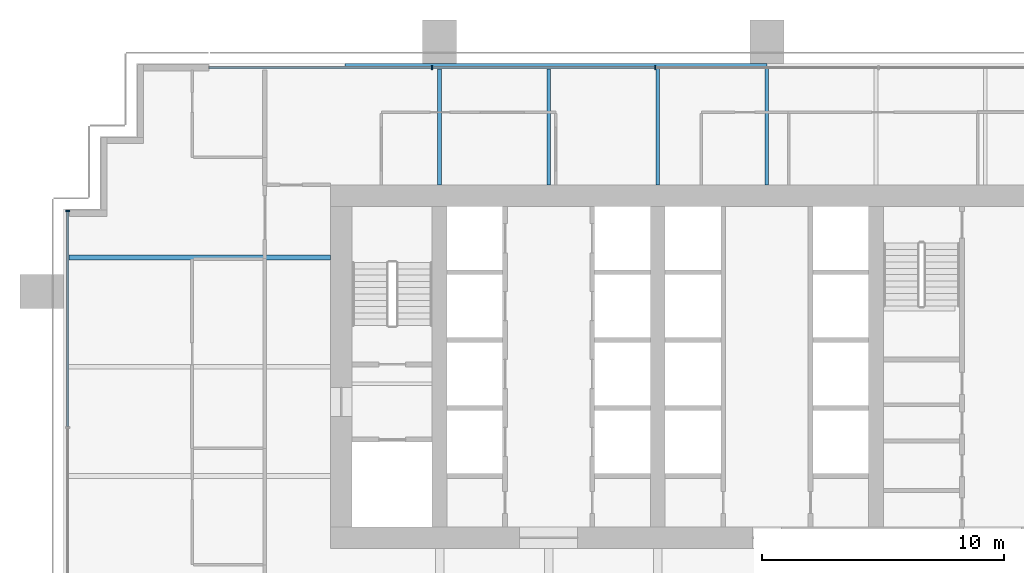
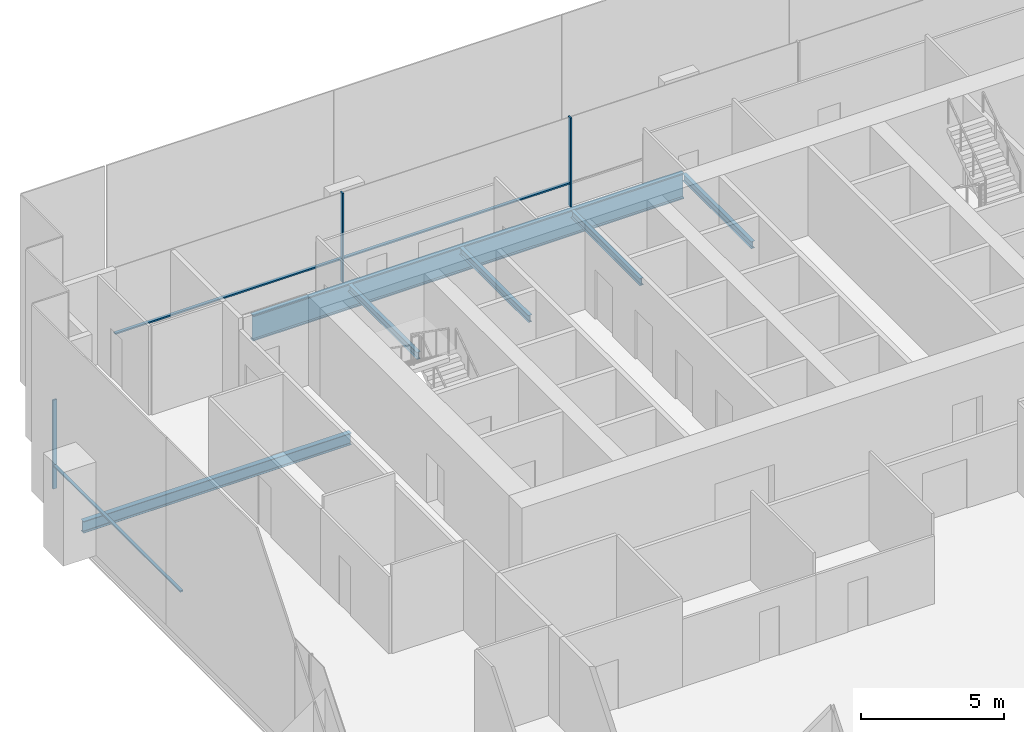
# One storey, part 7 of 17: 6 beams, 6 members, 2 elements without a shape of their own.
"""IFC4 building model written with IfcOpenShell, lengths in metres."""

from ifc_helpers import new_model, si_unit, direction, frame, origin, origin_2d, place, context, subcontext, project, spatial, rectangle, i_section, extrude, material, material_profile, profile_set, type_object, element, aggregate, save


model = new_model("IFC4")

# Units and contexts
model_context = context("Model", 3, precision=1e-05, world=origin(), true_north=direction((0.0, 1.0)))
body_context = subcontext(model_context, "Body", "Model", "MODEL_VIEW")
ifc_project = project(units=[si_unit("LENGTHUNIT", "METRE"), si_unit("AREAUNIT", "SQUARE_METRE"), si_unit("VOLUMEUNIT", "CUBIC_METRE"), si_unit("PLANEANGLEUNIT", "RADIAN"), si_unit("MASSUNIT", "GRAM", prefix="KILO")], contexts=[model_context])

# Site, building, storey
site_placement = place(None, origin())
site = spatial("IfcSite", under=ifc_project, at=site_placement, CompositionType="ELEMENT")
building_placement = place(site_placement, origin())
building = spatial("IfcBuilding", under=site, at=building_placement, Name="Rattan Terrace Tower", CompositionType="ELEMENT")
storey_placement = place(building_placement, frame((0.0, 0.0, 126.10009765625)))
storey = spatial("IfcBuildingStorey", under=building, at=storey_placement, Name="L28", CompositionType="ELEMENT", Elevation=126.10009765625)

# Curtain wall, members
ifc_material_1 = material(Name="Aluminium and glass", Category="aluminium")
curtain_wall_type = type_object("IfcCurtainWallType", Name="Facade Unitised Curtain Wall", PredefinedType="NOTDEFINED", material=ifc_material_1)
curtain_wall_1_placement = place(storey_placement, origin())
curtain_wall_1 = element("IfcCurtainWall", 1, at=curtain_wall_1_placement, inside=storey, type_object=curtain_wall_type, Name="Curtain wall L28-2", PredefinedType="NOTDEFINED")
ifc_material_2 = material(Name="Aluminium", Category="aluminium")
ifc_material_profile_1 = material_profile(ifc_material_2, rectangle(XDim=0.06005859375, YDim=0.159912109375, at=origin_2d()), Name="Aluminium 60x160")
ifc_profile_set_1 = profile_set([ifc_material_profile_1], Name="Aluminium")
member_type_1 = type_object("IfcMemberType", Name="Facade CW Mullion 60x160", PredefinedType="MULLION", material=ifc_profile_set_1)
member_1_placement = place(storey_placement, frame((-4.60302734375, 12.330078125, 0.0), z_axis=(0.0, 0.0, 1.0), x_axis=(-1.0, 0.0, 0.0)))
member_1 = element("IfcMember", 2, at=member_1_placement, type_object=member_type_1, Name="Mullion cwl-L28-002.4", PredefinedType="MULLION", context=body_context, shape_type="SweptSolid", body=[
    extrude(rectangle(XDim=0.06005859375, YDim=0.159912109375, at=origin_2d()), origin(), (0.0, 0.0, 1.0), 3.7998046875),
])
member_2_placement = place(storey_placement, frame((-13.803955078125, 12.330078125, 0.0), z_axis=(0.0, 0.0, 1.0), x_axis=(-1.0, 0.0, 0.0)))
member_2 = element("IfcMember", 3, at=member_2_placement, type_object=member_type_1, Name="Mullion cwl-L28-002.5", PredefinedType="MULLION", context=body_context, shape_type="SweptSolid", body=[
    extrude(rectangle(XDim=0.06005859375, YDim=0.159912109375, at=origin_2d()), origin(), (0.0, 0.0, 1.0), 3.7998046875),
])

# Curtain wall, member
curtain_wall_2_placement = place(storey_placement, origin())
curtain_wall_2 = element("IfcCurtainWall", 4, at=curtain_wall_2_placement, inside=storey, type_object=curtain_wall_type, Name="Curtain wall L28-3", PredefinedType="NOTDEFINED")
member_3_placement = place(storey_placement, frame((-28.830078125, 6.425048828125, 0.0), z_axis=(0.0, 0.0, 1.0), x_axis=(0.0, -1.0, 0.0)))
member_3 = element("IfcMember", 5, at=member_3_placement, type_object=member_type_1, Name="Mullion cwl-L28-003.1", PredefinedType="MULLION", context=body_context, shape_type="SweptSolid", body=[
    extrude(rectangle(XDim=0.06005859375, YDim=0.159912109375, at=origin_2d()), origin(), (0.0, 0.0, 1.0), 3.7998046875),
])

# Member
ifc_material_3 = material(Name="Aluminium", Category="aluminium")
ifc_material_profile_2 = material_profile(ifc_material_3, rectangle(XDim=0.1201171875, YDim=0.06005859375, at=origin_2d()), Name="Aluminium 120x60")
ifc_profile_set_2 = profile_set([ifc_material_profile_2], Name="Aluminium")
member_type_2 = type_object("IfcMemberType", Name="Facade CW Transom 120x60", PredefinedType="USERDEFINED", material=ifc_profile_set_2)
member_4_placement = place(storey_placement, frame((-4.633056640625, 12.330078125, 1.0), z_axis=(-1.0, 0.0, 0.0), x_axis=(0.0, -1.0, 0.0)))
member_4 = element("IfcMember", 6, at=member_4_placement, type_object=member_type_2, Name="Transom cwl-L28-002.4", ObjectType="TRANSOM", PredefinedType="USERDEFINED", context=body_context, shape_type="SweptSolid", body=[
    extrude(rectangle(XDim=0.1201171875, YDim=0.06005859375, at=origin_2d()), origin(), (0.0, 0.0, 1.0), 9.140869140625),
])

member_5_placement = place(storey_placement, frame((-13.833984375, 12.330078125, 1.0), z_axis=(-1.0, 0.0, 0.0), x_axis=(0.0, -1.0, 0.0)))
member_5 = element("IfcMember", 7, at=member_5_placement, type_object=member_type_2, Name="Transom cwl-L28-002.5", ObjectType="TRANSOM", PredefinedType="USERDEFINED", context=body_context, shape_type="SweptSolid", body=[
    extrude(rectangle(XDim=0.1201171875, YDim=0.06005859375, at=origin_2d()), origin(), (0.0, 0.0, 1.0), 9.166015625),
])

aggregate(curtain_wall_1, [member_1, member_2, member_4, member_5])

member_6_placement = place(storey_placement, frame((-28.830078125, 6.39501953125, 1.0), z_axis=(0.0, -1.0, 0.0), x_axis=(1.0, 0.0, 0.0)))
member_6 = element("IfcMember", 8, at=member_6_placement, type_object=member_type_2, Name="Transom cwl-L28-003.1", ObjectType="TRANSOM", PredefinedType="USERDEFINED", context=body_context, shape_type="SweptSolid", body=[
    extrude(rectangle(XDim=0.1201171875, YDim=0.06005859375, at=origin_2d()), origin(), (0.0, 0.0, 1.0), 8.864990234375),
])

aggregate(curtain_wall_2, [member_3, member_6])

# Beams
ifc_material_4 = material(Name="Steel S460", Category="steel")
ifc_material_profile_3 = material_profile(ifc_material_4, i_section(OverallWidth=0.179931640625, OverallDepth=1.10009765625, WebThickness=0.01611328125, FlangeThickness=0.050048828125, at=origin_2d()), Name="PG 1100x180-16-50")
ifc_profile_set_3 = profile_set([ifc_material_profile_3], Name="Steel S460")
beam_type_1 = type_object("IfcBeamType", Name="Frame edge girder PG 1100x180-16-50", PredefinedType="SPANDREL", material=ifc_profile_set_3)
beam_1_placement = place(storey_placement, frame((-17.39990234375, 12.409912109375, -0.75), z_axis=(1.0, 0.0, 0.0), x_axis=(0.0, 1.0, 0.0)))
element("IfcBeam", 9, at=beam_1_placement, inside=storey, type_object=beam_type_1, Name="gdr-L28-005", PredefinedType="SPANDREL", context=body_context, shape_type="SweptSolid", body=[
    extrude(i_section(OverallWidth=0.179931640625, OverallDepth=1.10009765625, WebThickness=0.01611328125, FlangeThickness=0.050048828125, at=origin_2d()), origin(), (0.0, 0.0, 1.0), 17.39990234375),
])
ifc_material_5 = material(Name="Steel S355", Category="steel")
ifc_material_profile_4 = material_profile(ifc_material_5, i_section(OverallWidth=0.14990234375, OverallDepth=0.300048828125, WebThickness=0.007080078125, FlangeThickness=0.0107421875, FilletRadius=0.014892578125, at=origin_2d()), Name="IPE 300")
ifc_profile_set_4 = profile_set([ifc_material_profile_4], Name="Steel S355")
beam_type_2 = type_object("IfcBeamType", Name="Frame floor beam IPE 300", PredefinedType="JOIST", material=ifc_profile_set_4)
for number, where, z_axis, x_axis, name in (
    (10, (-13.5, 7.5, -0.35009765625), (0.0, 1.0, 0.0), (-1.0, 0.0, 0.0), "bm-L28-016"),
    (11, (-9.0, 7.5, -0.35009765625), (0.0, 1.0, 0.0), (-1.0, 0.0, 0.0), "bm-L28-017"),
    (12, (-4.5, 7.5, -0.35009765625), (0.0, 1.0, 0.0), (-1.0, 0.0, 0.0), "bm-L28-018"),
    (13, (0.0, 7.5, -0.35009765625), (0.0, 1.0, 0.0), (-1.0, 0.0, 0.0), "bm-L28-019"),
):
    element("IfcBeam", number, at=place(storey_placement, frame(where, z_axis=z_axis, x_axis=x_axis)), inside=storey, type_object=beam_type_2, Name=name, PredefinedType="JOIST", context=body_context, shape_type="SweptSolid", body=[
        extrude(i_section(OverallWidth=0.14990234375, OverallDepth=0.300048828125, WebThickness=0.007080078125, FlangeThickness=0.0107421875, FilletRadius=0.014892578125, at=origin_2d()), origin(), (0.0, 0.0, 1.0), 4.820068359375),
    ])
ifc_material_6 = material(Name="Steel S355", Category="steel")
ifc_material_profile_5 = material_profile(ifc_material_6, i_section(OverallWidth=0.199951171875, OverallDepth=0.5, WebThickness=0.01025390625, FlangeThickness=0.01611328125, FilletRadius=0.02099609375, at=origin_2d()), Name="IPE 500")
ifc_profile_set_5 = profile_set([ifc_material_profile_5], Name="Steel S355")
beam_type_3 = type_object("IfcBeamType", Name="Frame floor beam IPE 500", PredefinedType="JOIST", material=ifc_profile_set_5)
beam_2_placement = place(storey_placement, frame((-28.820068359375, 4.5, -0.4501953125), z_axis=(1.0, 0.0, 0.0), x_axis=(0.0, 1.0, 0.0)))
element("IfcBeam", 14, at=beam_2_placement, inside=storey, type_object=beam_type_3, Name="bm-L28-014", PredefinedType="JOIST", context=body_context, shape_type="SweptSolid", body=[
    extrude(i_section(OverallWidth=0.199951171875, OverallDepth=0.5, WebThickness=0.01025390625, FlangeThickness=0.01611328125, FilletRadius=0.02099609375, at=origin_2d()), origin(), (0.0, 0.0, 1.0), 10.820068359375),
])

save(model, "model.ifc")
